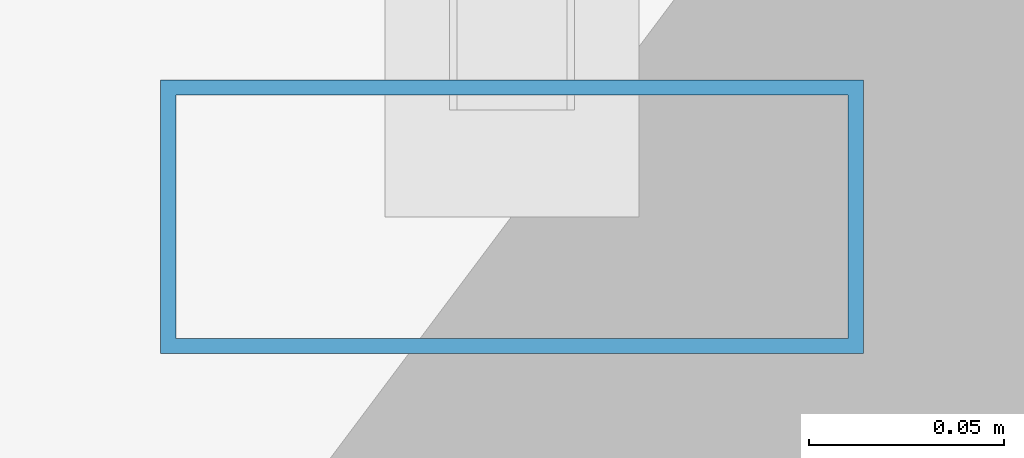
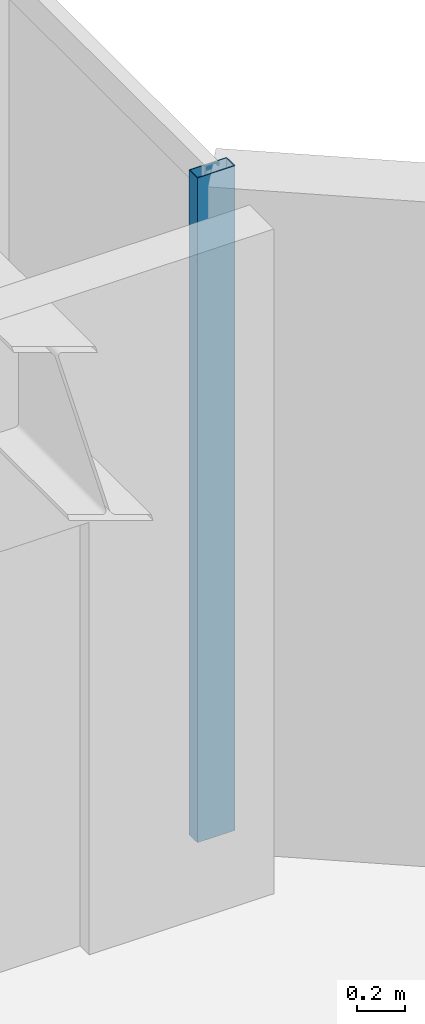
# One storey, part 10 of 24: 1 member, 1 element without a shape of its own.
"""IFC4 building model written with IfcOpenShell, lengths in metres."""

from ifc_helpers import new_model, si_unit, direction, frame, origin, origin_2d, place, context, subcontext, project, spatial, hollow_rectangle, extrude, material, layer, layer_set, material_profile, profile_set, type_object, element, aggregate, save


model = new_model("IFC4")

# Units and contexts
model_context = context("Model", 3, precision=1e-05, world=origin(), true_north=direction((0.0, 1.0)))
body_context = subcontext(model_context, "Body", "Model", "MODEL_VIEW")
ifc_project = project(units=[si_unit("LENGTHUNIT", "METRE"), si_unit("AREAUNIT", "SQUARE_METRE"), si_unit("VOLUMEUNIT", "CUBIC_METRE"), si_unit("PLANEANGLEUNIT", "RADIAN"), si_unit("MASSUNIT", "GRAM", prefix="KILO")], contexts=[model_context])

# Site, building, storey
site_placement = place(None, origin())
site = spatial("IfcSite", under=ifc_project, at=site_placement, CompositionType="ELEMENT")
building_placement = place(site_placement, origin())
building = spatial("IfcBuilding", under=site, at=building_placement, Name="Hatsunagi Terrace Concourse", CompositionType="ELEMENT")
storey_placement = place(building_placement, frame((0.0, 0.0, 202.35009765625)))
storey = spatial("IfcBuildingStorey", under=building, at=storey_placement, Name="L53", CompositionType="ELEMENT", Elevation=202.35009765625)

# Curtain wall, member
ifc_material_1 = material(Name="Anodised Aluminium Alloy 6063-T5", Category="aluminium")
ifc_layer = layer(ifc_material_1, 0.199951171875)
ifc_layer_set = layer_set([ifc_layer], Name="OfficeZone2_CW04")
curtain_wall_type = type_object("IfcCurtainWallType", Name="OfficeZone2_CW04", PredefinedType="NOTDEFINED", material=ifc_layer_set)
curtain_wall_placement = place(storey_placement, origin())
curtain_wall = element("IfcCurtainWall", 1, at=curtain_wall_placement, inside=storey, type_object=curtain_wall_type, Name="Unitised Curtain Wall CW-04 CW-L53-12", PredefinedType="NOTDEFINED")
ifc_material_2 = material(Name="Anodised Aluminium Alloy 6063-T5", Category="aluminium")
ifc_material_profile = material_profile(ifc_material_2, hollow_rectangle(XDim=0.070068359375, YDim=0.179931640625, WallThickness=0.00390625, at=origin_2d()), Name="ALU-MUL-180x70x4")
ifc_profile_set = profile_set([ifc_material_profile], Name="Anodised Aluminium Alloy 6063-T5")
member_type = type_object("IfcMemberType", Name="CurtainWallMullion_180x70", PredefinedType="MULLION", material=ifc_profile_set)
member_placement = place(storey_placement, frame((44.860107421875, 40.72998046875, 0.0), z_axis=(0.0, 0.0, 1.0), x_axis=(0.0, -1.0, 0.0)))
member = element("IfcMember", 2, at=member_placement, type_object=member_type, Name="Curtain Wall Mullion MUL-02", PredefinedType="MULLION", context=body_context, shape_type="SweptSolid", body=[
    extrude(hollow_rectangle(XDim=0.070068359375, YDim=0.179931640625, WallThickness=0.00390625, at=origin_2d()), origin(), (0.0, 0.0, 1.0), 3.349853515625),
])
aggregate(curtain_wall, [member])

save(model, "model.ifc")
